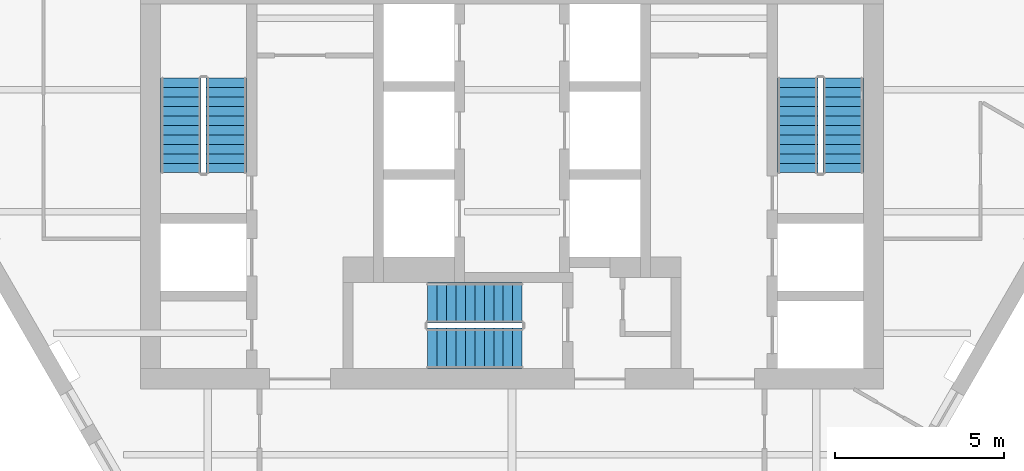
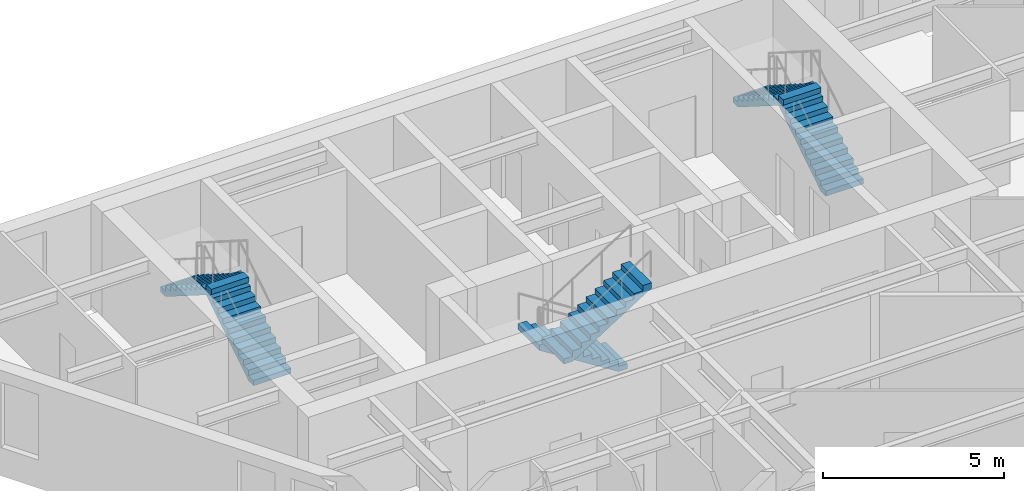
# One storey, part 5 of 6: 6 stair flights, 3 elements without a shape of their own.
"""IFC4 building model written with IfcOpenShell, lengths in metres."""

from ifc_helpers import new_model, si_unit, direction, frame, origin, place, context, subcontext, project, spatial, polyline, outline, extrude, material, type_object, element, aggregate, save


model = new_model("IFC4")

# Units and contexts
model_context = context("Model", 3, precision=1e-05, world=origin(), true_north=direction((0.0, 1.0)))
body_context = subcontext(model_context, "Body", "Model", "MODEL_VIEW")
ifc_project = project(units=[si_unit("LENGTHUNIT", "METRE"), si_unit("AREAUNIT", "SQUARE_METRE"), si_unit("VOLUMEUNIT", "CUBIC_METRE"), si_unit("PLANEANGLEUNIT", "RADIAN"), si_unit("MASSUNIT", "GRAM", prefix="KILO")], contexts=[model_context])

# Site, building, storey
site_placement = place(None, origin())
site = spatial("IfcSite", under=ifc_project, at=site_placement, CompositionType="ELEMENT")
building_placement = place(site_placement, origin())
building = spatial("IfcBuilding", under=site, at=building_placement, Name="Aloe Facet Convention Tower", CompositionType="ELEMENT")
storey_placement = place(building_placement, frame((0.0, 0.0, 281.60009765625)))
storey = spatial("IfcBuildingStorey", under=building, at=storey_placement, Name="L69", CompositionType="ELEMENT", Elevation=281.60009765625)

# Stair, stair flights
ifc_material_1 = material(Name="Concrete C50/60", Category="concrete")
stair_type = type_object("IfcStairType", Name="CR-ST-22R", PredefinedType="HALF_TURN_STAIR", material=ifc_material_1)
stair_1_placement = place(storey_placement, origin())
stair_1 = element("IfcStair", 1, at=stair_1_placement, inside=storey, type_object=stair_type, Name="L69 Protected exit stair ST1", PredefinedType="HALF_TURN_STAIR")
ifc_material_2 = material(Name="Concrete C50/60", Category="concrete")
stair_flight_type = type_object("IfcStairFlightType", Name="CR-SFL-22R", PredefinedType="STRAIGHT", material=ifc_material_2)
stair_flight_1_placement = place(storey_placement, frame((71.550048828125, 128.949951171875, 0.0), z_axis=(0.0, 0.0, 1.0), x_axis=(0.0, 1.0, 0.0)))
stair_flight_1 = element("IfcStairFlight", 2, at=stair_flight_1_placement, type_object=stair_flight_type, Name="ST1 flight 1", NumberOfRisers=11, NumberOfTreads=10, PredefinedType="STRAIGHT", RiserHeight=0.177272727, TreadLength=0.28, context=body_context, shape_type="SweptSolid", body=[
    extrude(outline(polyline([(0.0, 0.0), (0.0, 0.17724609375), (0.280029296875, 0.17724609375), (0.280029296875, 0.3544921875), (0.56005859375, 0.3544921875), (0.56005859375, 0.53173828125), (0.840087890625, 0.53173828125), (0.840087890625, 0.708984375), (1.1201171875, 0.708984375), (1.1201171875, 0.886474609375), (1.39990234375, 0.886474609375), (1.39990234375, 1.063720703125), (1.679931640625, 1.063720703125), (1.679931640625, 1.240966796875), (1.9599609375, 1.240966796875), (1.9599609375, 1.418212890625), (2.239990234375, 1.418212890625), (2.239990234375, 1.595458984375), (2.52001953125, 1.595458984375), (2.52001953125, 1.772705078125), (2.800048828125, 1.772705078125), (2.800048828125, 1.949951171875), (2.800048828125, 1.59521484375), (0.2802734375, 0.0), (0.0, 0.0)])), frame((0.0, 0.60009765625, 0.0), z_axis=(0.0, -1.0, 0.0), x_axis=(1.0, 0.0, 0.0)), (0.0, 0.0, 1.0), 1.199951171875),
])
stair_flight_2_placement = place(storey_placement, frame((70.199951171875, 131.75, 1.949951171875), z_axis=(0.0, 0.0, 1.0), x_axis=(0.0, -1.0, 0.0)))
stair_flight_2 = element("IfcStairFlight", 3, at=stair_flight_2_placement, type_object=stair_flight_type, Name="ST1 flight 2", NumberOfRisers=11, NumberOfTreads=10, PredefinedType="STRAIGHT", RiserHeight=0.177272727, TreadLength=0.28, context=body_context, shape_type="SweptSolid", body=[
    extrude(outline(polyline([(0.0, 0.0), (0.0, 0.17724609375), (0.280029296875, 0.17724609375), (0.280029296875, 0.3544921875), (0.56005859375, 0.3544921875), (0.56005859375, 0.53173828125), (0.840087890625, 0.53173828125), (0.840087890625, 0.708984375), (1.1201171875, 0.708984375), (1.1201171875, 0.886474609375), (1.39990234375, 0.886474609375), (1.39990234375, 1.063720703125), (1.679931640625, 1.063720703125), (1.679931640625, 1.240966796875), (1.9599609375, 1.240966796875), (1.9599609375, 1.418212890625), (2.239990234375, 1.418212890625), (2.239990234375, 1.595458984375), (2.52001953125, 1.595458984375), (2.52001953125, 1.772705078125), (2.800048828125, 1.772705078125), (2.800048828125, 1.949951171875), (2.800048828125, 1.59521484375), (0.2802734375, 0.0), (0.0, 0.0)])), frame((0.0, 0.60009765625, 0.0), z_axis=(0.0, -1.0, 0.0), x_axis=(1.0, 0.0, 0.0)), (0.0, 0.0, 1.0), 1.199951171875),
])
aggregate(stair_1, [stair_flight_1, stair_flight_2])

stair_2_placement = place(storey_placement, origin())
stair_2 = element("IfcStair", 4, at=stair_2_placement, inside=storey, type_object=stair_type, Name="L69 Protected exit stair ST2", PredefinedType="HALF_TURN_STAIR")
stair_flight_3_placement = place(storey_placement, frame((89.800048828125, 128.949951171875, 0.0), z_axis=(0.0, 0.0, 1.0), x_axis=(0.0, 1.0, 0.0)))
stair_flight_3 = element("IfcStairFlight", 5, at=stair_flight_3_placement, type_object=stair_flight_type, Name="ST2 flight 1", NumberOfRisers=11, NumberOfTreads=10, PredefinedType="STRAIGHT", RiserHeight=0.177272727, TreadLength=0.28, context=body_context, shape_type="SweptSolid", body=[
    extrude(outline(polyline([(0.0, 0.0), (0.0, 0.17724609375), (0.280029296875, 0.17724609375), (0.280029296875, 0.3544921875), (0.56005859375, 0.3544921875), (0.56005859375, 0.53173828125), (0.840087890625, 0.53173828125), (0.840087890625, 0.708984375), (1.1201171875, 0.708984375), (1.1201171875, 0.886474609375), (1.39990234375, 0.886474609375), (1.39990234375, 1.063720703125), (1.679931640625, 1.063720703125), (1.679931640625, 1.240966796875), (1.9599609375, 1.240966796875), (1.9599609375, 1.418212890625), (2.239990234375, 1.418212890625), (2.239990234375, 1.595458984375), (2.52001953125, 1.595458984375), (2.52001953125, 1.772705078125), (2.800048828125, 1.772705078125), (2.800048828125, 1.949951171875), (2.800048828125, 1.59521484375), (0.2802734375, 0.0), (0.0, 0.0)])), frame((0.0, 0.60009765625, 0.0), z_axis=(0.0, -1.0, 0.0), x_axis=(1.0, 0.0, 0.0)), (0.0, 0.0, 1.0), 1.199951171875),
])
stair_flight_4_placement = place(storey_placement, frame((88.449951171875, 131.75, 1.949951171875), z_axis=(0.0, 0.0, 1.0), x_axis=(0.0, -1.0, 0.0)))
stair_flight_4 = element("IfcStairFlight", 6, at=stair_flight_4_placement, type_object=stair_flight_type, Name="ST2 flight 2", NumberOfRisers=11, NumberOfTreads=10, PredefinedType="STRAIGHT", RiserHeight=0.177272727, TreadLength=0.28, context=body_context, shape_type="SweptSolid", body=[
    extrude(outline(polyline([(0.0, 0.0), (0.0, 0.17724609375), (0.280029296875, 0.17724609375), (0.280029296875, 0.3544921875), (0.56005859375, 0.3544921875), (0.56005859375, 0.53173828125), (0.840087890625, 0.53173828125), (0.840087890625, 0.708984375), (1.1201171875, 0.708984375), (1.1201171875, 0.886474609375), (1.39990234375, 0.886474609375), (1.39990234375, 1.063720703125), (1.679931640625, 1.063720703125), (1.679931640625, 1.240966796875), (1.9599609375, 1.240966796875), (1.9599609375, 1.418212890625), (2.239990234375, 1.418212890625), (2.239990234375, 1.595458984375), (2.52001953125, 1.595458984375), (2.52001953125, 1.772705078125), (2.800048828125, 1.772705078125), (2.800048828125, 1.949951171875), (2.800048828125, 1.59521484375), (0.2802734375, 0.0), (0.0, 0.0)])), frame((0.0, 0.60009765625, 0.0), z_axis=(0.0, -1.0, 0.0), x_axis=(1.0, 0.0, 0.0)), (0.0, 0.0, 1.0), 1.199951171875),
])
aggregate(stair_2, [stair_flight_3, stair_flight_4])

stair_3_placement = place(storey_placement, origin())
stair_3 = element("IfcStair", 7, at=stair_3_placement, inside=storey, type_object=stair_type, Name="L69 Protected exit stair ST3", PredefinedType="HALF_TURN_STAIR")
stair_flight_5_placement = place(storey_placement, frame((80.300048828125, 125.10009765625, 0.0), z_axis=(0.0, 0.0, 1.0), x_axis=(-1.0, 0.0, 0.0)))
stair_flight_5 = element("IfcStairFlight", 8, at=stair_flight_5_placement, type_object=stair_flight_type, Name="ST3 flight 1", NumberOfRisers=11, NumberOfTreads=10, PredefinedType="STRAIGHT", RiserHeight=0.177272727, TreadLength=0.28, context=body_context, shape_type="SweptSolid", body=[
    extrude(outline(polyline([(0.0, 0.0), (0.0, 0.17724609375), (0.280029296875, 0.17724609375), (0.280029296875, 0.3544921875), (0.56005859375, 0.3544921875), (0.56005859375, 0.53173828125), (0.840087890625, 0.53173828125), (0.840087890625, 0.708984375), (1.1201171875, 0.708984375), (1.1201171875, 0.886474609375), (1.39990234375, 0.886474609375), (1.39990234375, 1.063720703125), (1.679931640625, 1.063720703125), (1.679931640625, 1.240966796875), (1.9599609375, 1.240966796875), (1.9599609375, 1.418212890625), (2.239990234375, 1.418212890625), (2.239990234375, 1.595458984375), (2.52001953125, 1.595458984375), (2.52001953125, 1.772705078125), (2.800048828125, 1.772705078125), (2.800048828125, 1.949951171875), (2.800048828125, 1.59521484375), (0.2802734375, 0.0), (0.0, 0.0)])), frame((0.0, 0.60009765625, 0.0), z_axis=(0.0, -1.0, 0.0), x_axis=(1.0, 0.0, 0.0)), (0.0, 0.0, 1.0), 1.199951171875),
])
stair_flight_6_placement = place(storey_placement, frame((77.5, 123.75, 1.949951171875), z_axis=(0.0, 0.0, 1.0), x_axis=(1.0, 0.0, 0.0)))
stair_flight_6 = element("IfcStairFlight", 9, at=stair_flight_6_placement, type_object=stair_flight_type, Name="ST3 flight 2", NumberOfRisers=11, NumberOfTreads=10, PredefinedType="STRAIGHT", RiserHeight=0.177272727, TreadLength=0.28, context=body_context, shape_type="SweptSolid", body=[
    extrude(outline(polyline([(0.0, 0.0), (0.0, 0.17724609375), (0.280029296875, 0.17724609375), (0.280029296875, 0.3544921875), (0.56005859375, 0.3544921875), (0.56005859375, 0.53173828125), (0.840087890625, 0.53173828125), (0.840087890625, 0.708984375), (1.1201171875, 0.708984375), (1.1201171875, 0.886474609375), (1.39990234375, 0.886474609375), (1.39990234375, 1.063720703125), (1.679931640625, 1.063720703125), (1.679931640625, 1.240966796875), (1.9599609375, 1.240966796875), (1.9599609375, 1.418212890625), (2.239990234375, 1.418212890625), (2.239990234375, 1.595458984375), (2.52001953125, 1.595458984375), (2.52001953125, 1.772705078125), (2.800048828125, 1.772705078125), (2.800048828125, 1.949951171875), (2.800048828125, 1.59521484375), (0.2802734375, 0.0), (0.0, 0.0)])), frame((0.0, 0.60009765625, 0.0), z_axis=(0.0, -1.0, 0.0), x_axis=(1.0, 0.0, 0.0)), (0.0, 0.0, 1.0), 1.199951171875),
])
aggregate(stair_3, [stair_flight_5, stair_flight_6])

save(model, "model.ifc")
